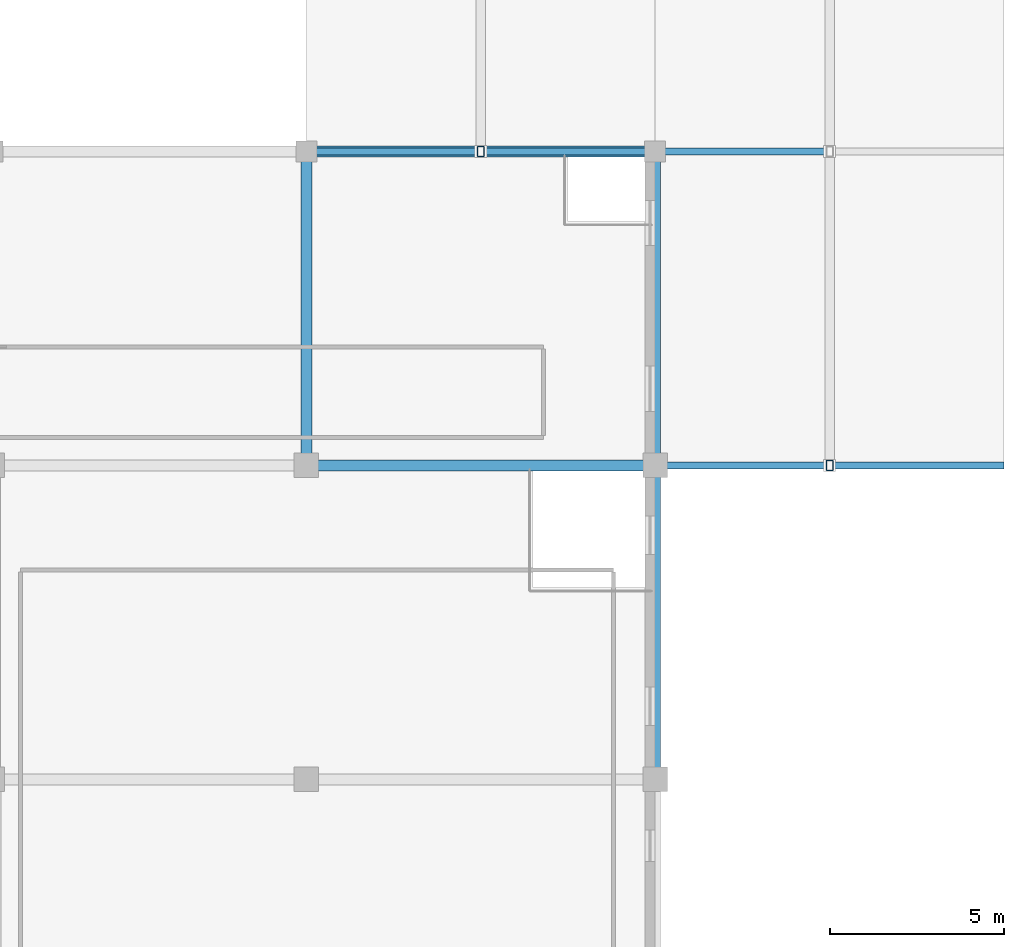
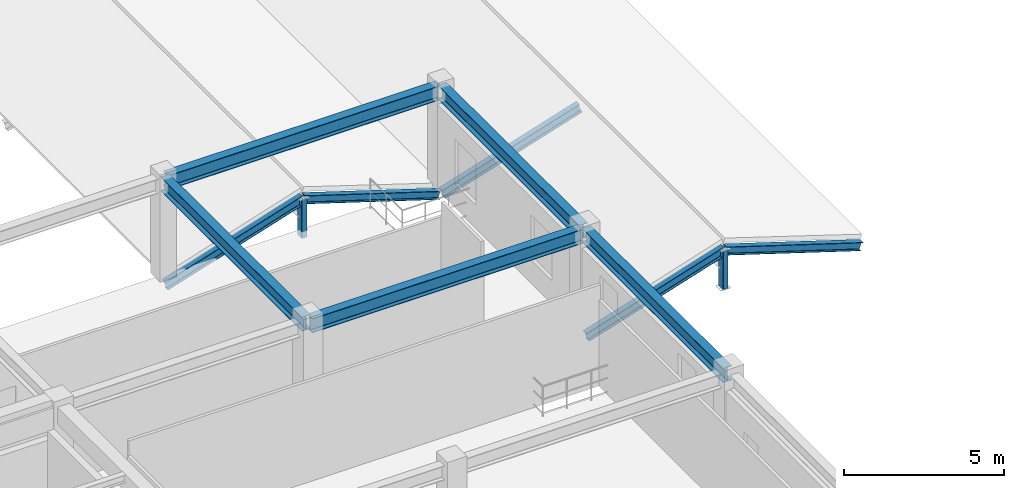
# One storey, part 75 of 110: 7 members, 5 beams.
"""IFC4 building model written with IfcOpenShell, lengths in metres."""

import ifcopenshell
import ifcopenshell.guid

model = None  # the IFC model being written
_history = None  # IfcOwnerHistory: only IFC2X3 demands one
_inside = {}  # id of a spatial element -> (the spatial element, [elements in it])
_under = {}  # id of a project, library or spatial element -> (it, [spatial elements below it])
_declared = {}  # id of a project -> (the project, [libraries it declares])
_typed = {}  # id of a type object -> (the type object, [elements of that type])
_made_of = {}  # id of a material, layer set ... -> (it, [elements and type objects made of it])


def new_model(schema):
    """Start an empty IFC model of exactly this schema.

    Asked for "IFC4X3", IfcOpenShell would pick the latest addendum, in which some entities
    have other attributes; the version numbers below select the first issue.
    IFC2X3 requires an IfcOwnerHistory on every rooted entity: one is made here for all.
    """
    global model, _history
    if schema == "IFC4X3":
        model = ifcopenshell.file(schema_version=(4, 3, 0, 0))
    else:
        model = ifcopenshell.file(schema=schema)
    _inside.clear()
    _under.clear()
    _declared.clear()
    _typed.clear()
    _made_of.clear()
    _history = None
    if model.schema == "IFC2X3":
        org = make("IfcOrganization", Name="unknown")
        user = make(
            "IfcPersonAndOrganization",
            ThePerson=make("IfcPerson", FamilyName="unknown"),
            TheOrganization=org,
        )
        app = make(
            "IfcApplication",
            ApplicationDeveloper=org,
            Version="unknown",
            ApplicationFullName="unknown",
            ApplicationIdentifier="unknown",
        )
        _history = make(
            "IfcOwnerHistory",
            OwningUser=user,
            OwningApplication=app,
            ChangeAction="ADDED",
            CreationDate=0,
        )
    return model


def make(cls, **values):
    """One entity of the class cls with the attributes given. An attribute that is None is left unset."""
    return model.create_entity(
        cls, **{name: value for name, value in values.items() if value is not None}
    )


def rooted(cls, **values):
    """An entity with a GlobalId (a new one), such as an element, a storey or a relation."""
    return make(cls, GlobalId=ifcopenshell.guid.new(), OwnerHistory=_history, **values)


def si_unit(unit_type, name, prefix=None):
    """IfcSIUnit, for example si_unit("LENGTHUNIT", "METRE", prefix="MILLI")."""
    return make("IfcSIUnit", UnitType=unit_type, Prefix=prefix, Name=name)


def assignment(units):
    """IfcUnitAssignment: the units of a project."""
    return None if units is None else make("IfcUnitAssignment", Units=units)


def point(xyz):
    """IfcCartesianPoint."""
    return None if xyz is None else make("IfcCartesianPoint", Coordinates=xyz)


def direction(xyz):
    """IfcDirection."""
    return None if xyz is None else make("IfcDirection", DirectionRatios=xyz)


def frame(location, z_axis=None, x_axis=None):
    """IfcAxis2Placement3D, a coordinate frame: its origin and axes. An axis left out is left unset."""
    return make(
        "IfcAxis2Placement3D",
        Location=point(location),
        Axis=direction(z_axis),
        RefDirection=direction(x_axis),
    )


def frame_2d(location, x_axis=None):
    """IfcAxis2Placement2D, a coordinate frame in the plane: its origin and x axis."""
    return make(
        "IfcAxis2Placement2D", Location=point(location), RefDirection=direction(x_axis)
    )


def origin():
    """The frame at (0, 0, 0) with its axes left unset."""
    return frame((0.0, 0.0, 0.0))


def origin_2d():
    """The frame at (0, 0) in the plane with its x axis left unset."""
    return frame_2d((0.0, 0.0))


def place(relative_to, where):
    """IfcLocalPlacement: puts the frame where relative to a parent placement (None: the world)."""
    return make(
        "IfcLocalPlacement", PlacementRelTo=relative_to, RelativePlacement=where
    )


def context(
    kind, dimensions, precision=None, world=None, true_north=None, identifier=None
):
    """IfcGeometricRepresentationContext, for example the 3D "Model" context."""
    return make(
        "IfcGeometricRepresentationContext",
        ContextIdentifier=identifier,
        ContextType=kind,
        CoordinateSpaceDimension=dimensions,
        Precision=precision,
        WorldCoordinateSystem=world,
        TrueNorth=true_north,
    )


def subcontext(parent, identifier, kind, view, scale=None):
    """IfcGeometricRepresentationSubContext, for example "Body" below "Model"."""
    return make(
        "IfcGeometricRepresentationSubContext",
        ContextIdentifier=identifier,
        ContextType=kind,
        ParentContext=parent,
        TargetScale=scale,
        TargetView=view,
    )


def project(units=None, contexts=None):
    """IfcProject with its units and contexts."""
    return rooted(
        "IfcProject",
        Name="project",
        RepresentationContexts=contexts,
        UnitsInContext=assignment(units),
    )


def spatial(cls, under=None, at=None, **own):
    """A site, building, storey or space (cls), placed at a placement, below another one or the project."""
    s = rooted(cls, ObjectPlacement=at, **own)
    if under is not None:
        _under.setdefault(under.id(), (under, []))[1].append(s)
    return s


def profile(cls, at=None, kind="AREA", **sizes):
    """A parametric profile (cls). Its sizes go by their IFC names, for example OverallWidth=200.0."""
    return make(cls, ProfileType=kind, Position=at, **sizes)


def hollow_rectangle(**sizes):
    """IfcRectangleHollowProfileDef."""
    return profile("IfcRectangleHollowProfileDef", **sizes)


def i_section(**sizes):
    """IfcIShapeProfileDef."""
    return profile("IfcIShapeProfileDef", **sizes)


def extrude(swept, where, along, depth):
    """IfcExtrudedAreaSolid: the profile swept, set in the frame where, extruded along a direction by depth."""
    return make(
        "IfcExtrudedAreaSolid",
        SweptArea=swept,
        Position=where,
        ExtrudedDirection=direction(along),
        Depth=depth,
    )


def shape(context_of_items, identifier, shape_type, items):
    """IfcShapeRepresentation: the items that make up one representation, for example the "Body"."""
    return make(
        "IfcShapeRepresentation",
        ContextOfItems=context_of_items,
        RepresentationIdentifier=identifier,
        RepresentationType=shape_type,
        Items=items,
    )


def material(Name=None, Category=None):
    """IfcMaterial."""
    return make("IfcMaterial", Name=Name, Category=Category)


def material_profile(
    of_material, cross_section, Name=None, Category=None, Priority=None
):
    """IfcMaterialProfile: a cross section and its material."""
    return make(
        "IfcMaterialProfile",
        Name=Name,
        Material=of_material,
        Profile=cross_section,
        Priority=Priority,
        Category=Category,
    )


def profile_set(profiles, Name=None, composite=None):
    """IfcMaterialProfileSet."""
    return make(
        "IfcMaterialProfileSet",
        Name=Name,
        MaterialProfiles=profiles,
        CompositeProfile=composite,
    )


def made_of(thing, what):
    """Note that an element or type object is made of a material, layer set ...; save() writes the relation."""
    if what is not None:
        _made_of.setdefault(what.id(), (what, []))[1].append(thing)
    return thing


def type_object(cls, material=None, **own):
    """A type object (cls), such as IfcWallType, which elements share."""
    return made_of(rooted(cls, **own), material)


def element(
    cls,
    number,
    at=None,
    inside=None,
    cuts=None,
    type_object=None,
    material=None,
    context=None,
    identifier="Body",
    shape_type=None,
    held_by="IfcProductDefinitionShape",
    body=None,
    shapes=None,
    **own,
):
    """One element of the class cls, such as IfcWall. Its Tag is "e" and its number.

    at: its placement. inside: the storey or other place that contains it. cuts: it is an
    opening in that element (IfcRelVoidsElement). A single representation is given by context,
    identifier, shape_type and body (its items); several are given by shapes. held_by: the class
    of the entity that holds the representations. save() writes the other relations.
    """
    e = rooted(cls, Tag="e%d" % number, ObjectPlacement=at, **own)
    if body is not None:
        shapes = [shape(context, identifier, shape_type, body)]
    if shapes is not None:
        e.Representation = make(held_by, Representations=shapes)
    if inside is not None:
        _inside.setdefault(inside.id(), (inside, []))[1].append(e)
    if cuts is not None:
        rooted(
            "IfcRelVoidsElement", RelatingBuildingElement=cuts, RelatedOpeningElement=e
        )
    if type_object is not None:
        _typed.setdefault(type_object.id(), (type_object, []))[1].append(e)
    return made_of(e, material)


def aggregate(whole, parts):
    """IfcRelAggregates: a whole, such as a stair, and the parts it consists of."""
    return rooted("IfcRelAggregates", RelatingObject=whole, RelatedObjects=parts)


def save(model, path):
    """Write the relations noted so far, then the file.

    IfcRelAggregates (storeys below a building ...), IfcRelContainedInSpatialStructure (elements
    in a storey), IfcRelDefinesByType, IfcRelAssociatesMaterial and IfcRelDeclares: one each for
    every whole, place, type object, material and project.
    """
    for whole, parts in _under.values():
        aggregate(whole, parts)
    for where, things in _inside.values():
        rooted(
            "IfcRelContainedInSpatialStructure",
            RelatedElements=things,
            RelatingStructure=where,
        )
    for kind, things in _typed.values():
        rooted("IfcRelDefinesByType", RelatedObjects=things, RelatingType=kind)
    for what, things in _made_of.values():
        rooted("IfcRelAssociatesMaterial", RelatedObjects=things, RelatingMaterial=what)
    for by, libraries in _declared.values():
        rooted("IfcRelDeclares", RelatingContext=by, RelatedDefinitions=libraries)
    model.write(path)


model = new_model("IFC4")

# Units and contexts
model_context = context("Model", 3, precision=1e-05, world=origin(), true_north=direction((0.0, 1.0)))
body_context = subcontext(model_context, "Body", "Model", "MODEL_VIEW")
ifc_project = project(units=[si_unit("LENGTHUNIT", "METRE"), si_unit("AREAUNIT", "SQUARE_METRE"), si_unit("VOLUMEUNIT", "CUBIC_METRE"), si_unit("PLANEANGLEUNIT", "RADIAN"), si_unit("MASSUNIT", "GRAM", prefix="KILO")], contexts=[model_context])

# Site, building, storey
site_placement = place(None, origin())
site = spatial("IfcSite", under=ifc_project, at=site_placement, CompositionType="ELEMENT")
building_placement = place(site_placement, origin())
building = spatial("IfcBuilding", under=site, at=building_placement, Name="Miravela Opera House", CompositionType="ELEMENT")
storey_placement = place(building_placement, frame((0.0, 0.0, 13.60009765625)))
storey = spatial("IfcBuildingStorey", under=building, at=storey_placement, Name="L03", CompositionType="ELEMENT", Elevation=13.60009765625)

# Beams
ifc_material_1 = material(Name="Structural steel ASTM A992 Gr. 50", Category="steel")
ifc_material_profile_1 = material_profile(ifc_material_1, i_section(OverallWidth=0.31201171875, OverallDepth=0.54296875, WebThickness=0.0126953125, FlangeThickness=0.020263671875, FilletRadius=0.01611328125, at=origin_2d()), Name="W530X150")
ifc_profile_set_1 = profile_set([ifc_material_profile_1])
beam_type = type_object("IfcBeamType", Name="STR-BM-W530X150", PredefinedType="BEAM", material=ifc_profile_set_1)
for number, where, z_axis, x_axis, name in (
    (1, (144.080078125, 75.0, 3.568359375), (1.0, 0.0, 0.0), (0.0, 1.0, 0.0), "Roof Eave Girder ROOF-V3-EAST-S S4"),
    (2, (144.080078125, 84.0, 3.568359375), (1.0, 0.0, 0.0), (0.0, 1.0, 0.0), "Roof Eave Girder ROOF-V3-EAST-S N4"),
):
    element("IfcBeam", number, at=place(storey_placement, frame(where, z_axis=z_axis, x_axis=x_axis)), inside=storey, type_object=beam_type, Name=name, PredefinedType="BEAM", context=body_context, shape_type="SweptSolid", body=[
        extrude(i_section(OverallWidth=0.31201171875, OverallDepth=0.54296875, WebThickness=0.0126953125, FlangeThickness=0.020263671875, FilletRadius=0.01611328125, at=origin_2d()), origin(), (0.0, 0.0, 1.0), 9.83984375),
    ])
for number, where, z_axis, x_axis, name in (
    (3, (144.0, 75.080078125, 3.568359375), (0.0, 1.0, 0.0), (-1.0, 0.0, 0.0), "Roof King-Post Transverse Tie Girder ROOF-V3-EAST-S T3.1"),
    (4, (154.0, 75.080078125, 3.568359375), (0.0, 1.0, 0.0), (-1.0, 0.0, 0.0), "Roof King-Post Transverse Tie Girder ROOF-V3-EAST-S T4.1"),
    (5, (154.0, 66.080078125, 3.568359375), (0.0, 1.0, 0.0), (-1.0, 0.0, 0.0), "Roof Eave Girder ROOF-V2-REAR E4"),
):
    element("IfcBeam", number, at=place(storey_placement, frame(where, z_axis=z_axis, x_axis=x_axis)), inside=storey, type_object=beam_type, Name=name, PredefinedType="BEAM", context=body_context, shape_type="SweptSolid", body=[
        extrude(i_section(OverallWidth=0.31201171875, OverallDepth=0.54296875, WebThickness=0.0126953125, FlangeThickness=0.020263671875, FilletRadius=0.01611328125, at=origin_2d()), origin(), (0.0, 0.0, 1.0), 8.83984375),
    ])

# Members
ifc_material_2 = material(Name="Hollow structural steel ASTM A500 Gr. C", Category="steel")
ifc_material_profile_2 = material_profile(ifc_material_2, hollow_rectangle(XDim=0.199951171875, YDim=0.300048828125, WallThickness=0.011962890625, InnerFilletRadius=0.011962890625, OuterFilletRadius=0.02392578125, at=origin_2d()), Name="HSS300X200X12")
ifc_profile_set_2 = profile_set([ifc_material_profile_2])
member_type_1 = type_object("IfcMemberType", Name="STR-MEM-POST-HSS300X200", PredefinedType="POST", material=ifc_profile_set_2)
for number, where, z_axis, x_axis, name in (
    (6, (159.0, 75.0, -0.25), (0.0, 0.0, 1.0), (1.0, 0.0, 0.0), "Roof Gable King Post ROOF-V3-FAR-E S"),
    (7, (149.0, 84.0, -0.25), (0.0, 0.0, 1.0), (1.0, 0.0, 0.0), "Roof Gable King Post ROOF-V3-EAST-M S"),
):
    element("IfcMember", number, at=place(storey_placement, frame(where, z_axis=z_axis, x_axis=x_axis)), inside=storey, type_object=member_type_1, Name=name, PredefinedType="POST", context=body_context, shape_type="SweptSolid", body=[
        extrude(hollow_rectangle(XDim=0.199951171875, YDim=0.300048828125, WallThickness=0.011962890625, InnerFilletRadius=0.011962890625, OuterFilletRadius=0.02392578125, at=origin_2d()), origin(), (0.0, 0.0, 1.0), 1.469970703125),
    ])
ifc_material_profile_3 = material_profile(ifc_material_1, i_section(OverallWidth=0.2041015625, OverallDepth=0.35009765625, WebThickness=0.008544921875, FlangeThickness=0.01513671875, FilletRadius=0.013916015625, at=origin_2d()), Name="W360X72")
ifc_profile_set_3 = profile_set([ifc_material_profile_3])
member_type_2 = type_object("IfcMemberType", Name="STR-MEM-RAFTER-1", PredefinedType="RAFTER", material=ifc_profile_set_3)
for number, where, z_axis, x_axis, name in (
    (8, (154.050048828125, 75.0, -0.400146484375), (0.953753138801, 0.0, 0.300591001575), (0.0, 1.0, 0.0), "Pitched Roof Rafter ROOF-V3-FAR-E W0"),
    (9, (154.050048828125, 84.0, -0.400146484375), (0.953753138801, 0.0, 0.300591001575), (0.0, 1.0, 0.0), "Pitched Roof Rafter ROOF-V3-FAR-E W1"),
    (10, (144.050048828125, 84.0, -0.400146484375), (0.953753138801, 0.0, 0.300591001575), (0.0, 1.0, 0.0), "Pitched Roof Rafter ROOF-V3-EAST-M W0"),
):
    element("IfcMember", number, at=place(storey_placement, frame(where, z_axis=z_axis, x_axis=x_axis)), inside=storey, type_object=member_type_2, Name=name, PredefinedType="RAFTER", context=body_context, shape_type="SweptSolid", body=[
        extrude(i_section(OverallWidth=0.2041015625, OverallDepth=0.35009765625, WebThickness=0.008544921875, FlangeThickness=0.01513671875, FilletRadius=0.013916015625, at=origin_2d()), origin(), (0.0, 0.0, 1.0), 5.18994140625),
    ])
ifc_material_profile_4 = material_profile(ifc_material_1, i_section(OverallWidth=0.202880859375, OverallDepth=0.302978515625, WebThickness=0.007568359375, FlangeThickness=0.01318359375, FilletRadius=0.012939453125, at=origin_2d()), Name="W310X60")
ifc_profile_set_4 = profile_set([ifc_material_profile_4])
member_type_3 = type_object("IfcMemberType", Name="STR-MEM-RAFTER-2", PredefinedType="RAFTER", material=ifc_profile_set_4)
for number, where, z_axis, x_axis, name in (
    (11, (163.949951171875, 75.0, -0.400146484375), (-0.953753138801, 0.0, 0.300591001575), (0.0, -1.0, 0.0), "Pitched Roof Rafter ROOF-V3-FAR-E E0"),
    (12, (153.949951171875, 84.0, -0.400146484375), (-0.953753138801, 0.0, 0.300591001575), (0.0, -1.0, 0.0), "Pitched Roof Rafter ROOF-V3-EAST-M E0"),
):
    element("IfcMember", number, at=place(storey_placement, frame(where, z_axis=z_axis, x_axis=x_axis)), inside=storey, type_object=member_type_3, Name=name, PredefinedType="RAFTER", context=body_context, shape_type="SweptSolid", body=[
        extrude(i_section(OverallWidth=0.202880859375, OverallDepth=0.302978515625, WebThickness=0.007568359375, FlangeThickness=0.01318359375, FilletRadius=0.012939453125, at=origin_2d()), origin(), (0.0, 0.0, 1.0), 5.18994140625),
    ])

save(model, "model.ifc")
